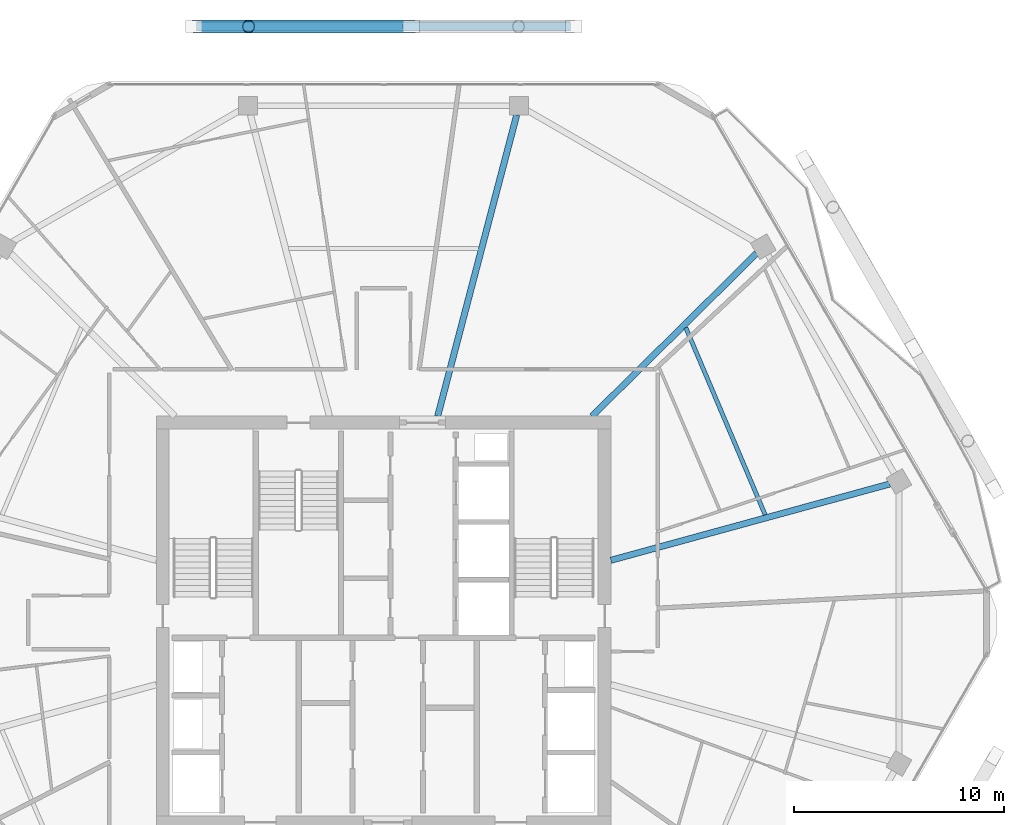
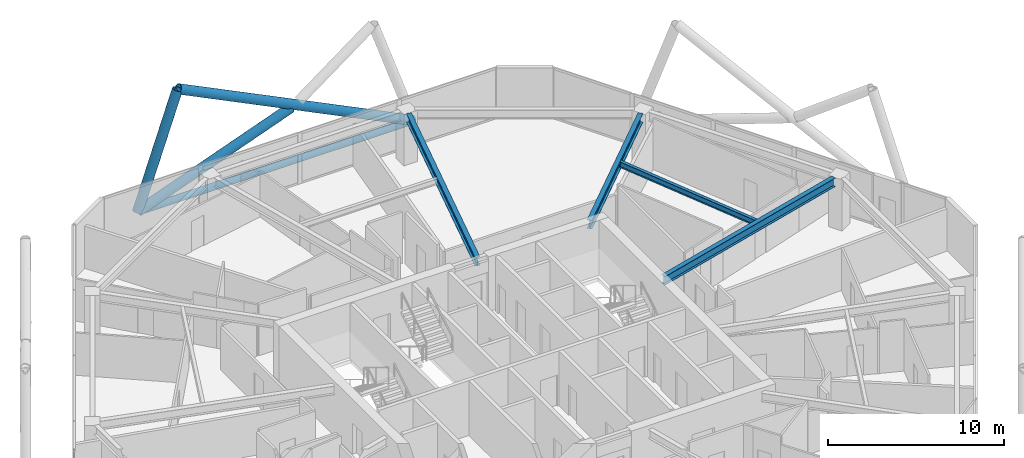
# One storey, part 16 of 27: 4 beams, 4 members.
"""IFC4 building model written with IfcOpenShell, lengths in metres."""

from ifc_helpers import new_model, si_unit, direction, frame, origin, origin_2d, place, context, subcontext, project, spatial, hollow_circle, i_section, extrude, material, material_profile, profile_set, type_object, element, save


model = new_model("IFC4")

# Units and contexts
model_context = context("Model", 3, precision=1e-05, world=origin(), true_north=direction((0.0, 1.0)))
body_context = subcontext(model_context, "Body", "Model", "MODEL_VIEW")
ifc_project = project(units=[si_unit("LENGTHUNIT", "METRE"), si_unit("AREAUNIT", "SQUARE_METRE"), si_unit("VOLUMEUNIT", "CUBIC_METRE"), si_unit("PLANEANGLEUNIT", "RADIAN"), si_unit("MASSUNIT", "GRAM", prefix="KILO")], contexts=[model_context])

# Site, building, storey
site_placement = place(None, origin())
site = spatial("IfcSite", under=ifc_project, at=site_placement, CompositionType="ELEMENT")
building_placement = place(site_placement, origin())
building = spatial("IfcBuilding", under=site, at=building_placement, Name="Zuhravey Tower", CompositionType="ELEMENT")
storey_placement = place(building_placement, frame((0.0, 0.0, 261.60009765625)))
storey = spatial("IfcBuildingStorey", under=building, at=storey_placement, Name="L66", CompositionType="ELEMENT", Elevation=261.60009765625)

# Members
ifc_material = material(Name="Steel SM355", Category="steel")
ifc_material_profile_1 = material_profile(ifc_material, hollow_circle(Radius=0.228515625, WallThickness=0.02197265625, at=origin_2d()), Name="CHS-457.2x22")
ifc_profile_set_1 = profile_set([ifc_material_profile_1], Name="Steel SM355")
member_type_1 = type_object("IfcMemberType", Name="Exoskeleton Ring Tie CHS457x22", PredefinedType="CHORD", material=ifc_profile_set_1)
member_1_placement = place(storey_placement, frame((44.888916015625, 60.323486328125, -0.464111328125), z_axis=(-1.0, 0.0, 0.0), x_axis=(0.0, -1.0, 0.0)))
element("IfcMember", 1, at=member_1_placement, inside=storey, type_object=member_type_1, Name="L66 Exoskeleton Face 2 Tie EXR1", PredefinedType="CHORD", context=body_context, shape_type="SweptSolid", body=[
    extrude(hollow_circle(Radius=0.228515625, WallThickness=0.02197265625, at=origin_2d()), origin(), (0.0, 0.0, 1.0), 17.77783203125),
])
ifc_material_profile_2 = material_profile(ifc_material, hollow_circle(Radius=0.3046875, WallThickness=0.028076171875, at=origin_2d()), Name="CHS-609.6x28")
ifc_profile_set_2 = profile_set([ifc_material_profile_2], Name="Steel SM355")
member_type_2 = type_object("IfcMemberType", Name="Exoskeleton Zone 3 Diagrid CHS610x28", PredefinedType="BRACE", material=ifc_profile_set_2)
member_2_placement = place(storey_placement, frame((44.992431640625, 60.323486328125, -0.446044921875), z_axis=(-0.897161810558, 0.0, 0.441702032683), x_axis=(0.0, -1.0, 0.0)))
element("IfcMember", 2, at=member_2_placement, inside=storey, type_object=member_type_2, Name="L66 Face 2 Diagrid Brace 2", PredefinedType="BRACE", context=body_context, shape_type="SweptSolid", body=[
    extrude(hollow_circle(Radius=0.3046875, WallThickness=0.028076171875, at=origin_2d()), origin(), (0.0, 0.0, 1.0), 17.12451171875),
])
member_3_placement = place(storey_placement, frame((26.977294921875, 60.323486328125, -0.446044921875), z_axis=(0.326060268586, 0.0, 0.945348983841), x_axis=(0.0, 1.0, 0.0)))
element("IfcMember", 3, at=member_3_placement, inside=storey, type_object=member_type_2, Name="L66 Face 2 Diagrid Brace 4", PredefinedType="BRACE", context=body_context, shape_type="SweptSolid", body=[
    extrude(hollow_circle(Radius=0.3046875, WallThickness=0.028076171875, at=origin_2d()), origin(), (0.0, 0.0, 1.0), 8.001220703125),
])
member_4_placement = place(storey_placement, frame((27.00927734375, 60.323486328125, -0.449951171875), z_axis=(0.93861991973, 0.0, 0.344953107373), x_axis=(0.0, 1.0, 0.0)))
element("IfcMember", 4, at=member_4_placement, inside=storey, type_object=member_type_2, Name="L66 Face 2 Split Diagrid Brace 3A", PredefinedType="BRACE", context=body_context, shape_type="SweptSolid", body=[
    extrude(hollow_circle(Radius=0.3046875, WallThickness=0.028076171875, at=origin_2d()), origin(), (0.0, 0.0, 1.0), 10.679931640625),
])

# Beams
ifc_material_profile_3 = material_profile(ifc_material, i_section(OverallWidth=0.300048828125, OverallDepth=0.60009765625, WebThickness=0.011962890625, FlangeThickness=0.02001953125, at=origin_2d()), Name="H-600x300x12x20")
ifc_profile_set_3 = profile_set([ifc_material_profile_3], Name="Steel SM355")
beam_type_1 = type_object("IfcBeamType", Name="Radial Primary Girder H600x300", PredefinedType="BEAM", material=ifc_profile_set_3)
beam_1_placement = place(storey_placement, frame((46.802978515625, 34.95556640625, 3.25), z_axis=(0.964548913045, 0.26390413855, 0.0), x_axis=(-0.26390413855, 0.964548913045, 0.0)))
element("IfcBeam", 5, at=beam_1_placement, inside=storey, type_object=beam_type_1, Name="L66 RG3 BM-L66-RAD-01", PredefinedType="BEAM", context=body_context, shape_type="SweptSolid", body=[
    extrude(i_section(OverallWidth=0.300048828125, OverallDepth=0.60009765625, WebThickness=0.011962890625, FlangeThickness=0.02001953125, at=origin_2d()), origin(), (0.0, 0.0, 1.0), 13.7314453125),
])
beam_2_placement = place(storey_placement, frame((45.90673828125, 41.802978515625, 3.25), z_axis=(0.710816516282, 0.703377480576, 0.0), x_axis=(-0.703377480576, 0.710816516282, 0.0)))
element("IfcBeam", 6, at=beam_2_placement, inside=storey, type_object=beam_type_1, Name="L66 RG3 BM-L66-RAD-02", PredefinedType="BEAM", context=body_context, shape_type="SweptSolid", body=[
    extrude(i_section(OverallWidth=0.300048828125, OverallDepth=0.60009765625, WebThickness=0.011962890625, FlangeThickness=0.02001953125, at=origin_2d()), origin(), (0.0, 0.0, 1.0), 10.994384765625),
])
beam_3_placement = place(storey_placement, frame((38.571533203125, 41.802978515625, 3.25), z_axis=(0.253731415841, 0.967274712073, 0.0), x_axis=(-0.967274712073, 0.253731415841, 0.0)))
element("IfcBeam", 7, at=beam_3_placement, inside=storey, type_object=beam_type_1, Name="L66 RG3 BM-L66-RAD-03", PredefinedType="BEAM", context=body_context, shape_type="SweptSolid", body=[
    extrude(i_section(OverallWidth=0.300048828125, OverallDepth=0.60009765625, WebThickness=0.011962890625, FlangeThickness=0.02001953125, at=origin_2d()), origin(), (0.0, 0.0, 1.0), 14.796630859375),
])
ifc_material_profile_4 = material_profile(ifc_material, i_section(OverallWidth=0.199951171875, OverallDepth=0.39990234375, WebThickness=0.008056640625, FlangeThickness=0.012939453125, at=origin_2d()), Name="H-400x200x8x13")
ifc_profile_set_4 = profile_set([ifc_material_profile_4], Name="Steel SM355")
beam_type_2 = type_object("IfcBeamType", Name="Secondary Floor Joist H400x200", PredefinedType="JOIST", material=ifc_profile_set_4)
beam_4_placement = place(storey_placement, frame((54.130859375, 37.118896484375, 3.349853515625), z_axis=(-0.390413493754, 0.920639616731, 0.0), x_axis=(-0.920639616731, -0.390413493754, 0.0)))
element("IfcBeam", 8, at=beam_4_placement, inside=storey, type_object=beam_type_2, Name="L66 SJ2 BM-L66-SJ-01-1", PredefinedType="JOIST", context=body_context, shape_type="SweptSolid", body=[
    extrude(i_section(OverallWidth=0.199951171875, OverallDepth=0.39990234375, WebThickness=0.008056640625, FlangeThickness=0.012939453125, at=origin_2d()), origin(), (0.0, 0.0, 1.0), 9.656494140625),
])

save(model, "model.ifc")
